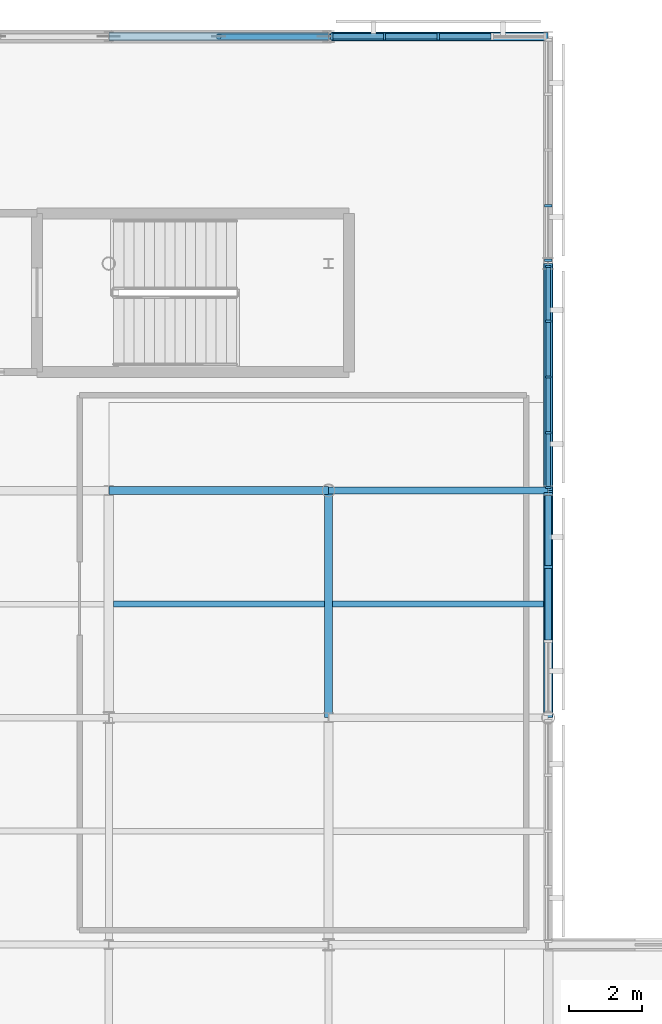
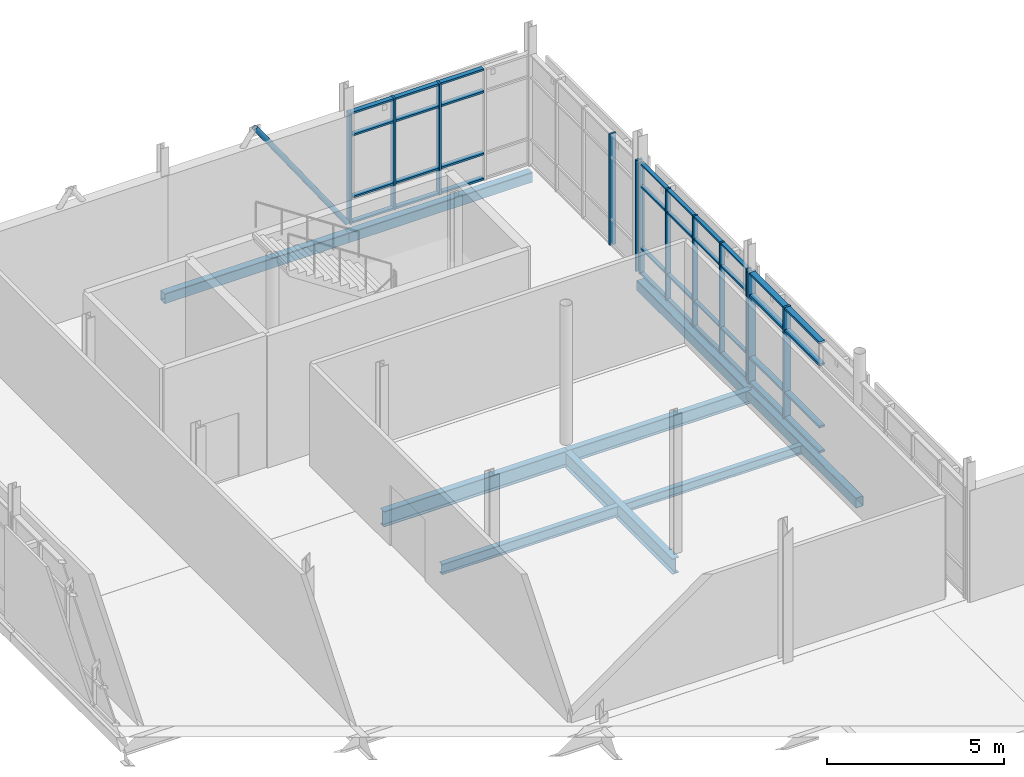
# One storey, part 47 of 84: 49 members, 9 beams, 4 elements without a shape of their own.
"""IFC4 building model written with IfcOpenShell, lengths in metres."""

from ifc_helpers import new_model, si_unit, direction, frame, origin, origin_2d, place, context, subcontext, project, spatial, rectangle, hollow_rectangle, hollow_circle, i_section, extrude, material, layer, layer_set, material_profile, profile_set, type_object, element, aggregate, save


model = new_model("IFC4")

# Units and contexts
model_context = context("Model", 3, precision=1e-05, world=origin(), true_north=direction((0.0, 1.0)))
body_context = subcontext(model_context, "Body", "Model", "MODEL_VIEW")
ifc_project = project(units=[si_unit("LENGTHUNIT", "METRE"), si_unit("AREAUNIT", "SQUARE_METRE"), si_unit("VOLUMEUNIT", "CUBIC_METRE"), si_unit("PLANEANGLEUNIT", "RADIAN"), si_unit("MASSUNIT", "GRAM", prefix="KILO")], contexts=[model_context])

# Site, building, storey
site_placement = place(None, origin())
site = spatial("IfcSite", under=ifc_project, at=site_placement, CompositionType="ELEMENT")
building_placement = place(site_placement, origin())
building = spatial("IfcBuilding", under=site, at=building_placement, Name="Mirzam Square Science Centre", CompositionType="ELEMENT")
storey_placement = place(building_placement, frame((0.0, 0.0, 10.800048828125)))
storey = spatial("IfcBuildingStorey", under=building, at=storey_placement, Name="L02", CompositionType="ELEMENT", Elevation=10.800048828125)

# Beams
ifc_material_1 = material(Name="Steel S355", Category="steel")
ifc_material_profile_1 = material_profile(ifc_material_1, i_section(OverallWidth=0.19140625, OverallDepth=0.4599609375, WebThickness=0.010009765625, FlangeThickness=0.01611328125, FilletRadius=0.01025390625, at=origin_2d()), Name="457x191x82UB")
ifc_profile_set_1 = profile_set([ifc_material_profile_1], Name="Steel S355")
beam_type_1 = type_object("IfcBeamType", Name="BM-UB457", PredefinedType="BEAM", material=ifc_profile_set_1)
beam_1_placement = place(storey_placement, frame((132.0, 99.199951171875, -0.47998046875), z_axis=(1.0, 0.0, 0.0), x_axis=(0.0, 1.0, 0.0)))
element("IfcBeam", 1, at=beam_1_placement, inside=storey, type_object=beam_type_1, Name="L02 girder X23-17", PredefinedType="BEAM", context=body_context, shape_type="SweptSolid", body=[
    extrude(i_section(OverallWidth=0.19140625, OverallDepth=0.4599609375, WebThickness=0.010009765625, FlangeThickness=0.01611328125, FilletRadius=0.01025390625, at=origin_2d()), origin(), (0.0, 0.0, 1.0), 6.0),
])
ifc_material_profile_2 = material_profile(ifc_material_1, i_section(OverallWidth=0.2099609375, OverallDepth=0.53662109375, WebThickness=0.0107421875, FlangeThickness=0.017333984375, FilletRadius=0.0126953125, at=origin_2d()), Name="533x210x101UB")
ifc_profile_set_2 = profile_set([ifc_material_profile_2], Name="Steel S355")
beam_type_2 = type_object("IfcBeamType", Name="BM-UB533", PredefinedType="BEAM", material=ifc_profile_set_2)
beam_2_placement = place(storey_placement, frame((126.0, 99.199951171875, -0.518310546875), z_axis=(1.0, 0.0, 0.0), x_axis=(0.0, 1.0, 0.0)))
element("IfcBeam", 2, at=beam_2_placement, inside=storey, type_object=beam_type_2, Name="L02 girder X22-17", PredefinedType="BEAM", context=body_context, shape_type="SweptSolid", body=[
    extrude(i_section(OverallWidth=0.2099609375, OverallDepth=0.53662109375, WebThickness=0.0107421875, FlangeThickness=0.017333984375, FilletRadius=0.0126953125, at=origin_2d()), origin(), (0.0, 0.0, 1.0), 6.0),
])
beam_3_placement = place(storey_placement, frame((132.0, 93.0, -0.518310546875), z_axis=(0.0, 1.0, 0.0), x_axis=(-1.0, 0.0, 0.0)))
element("IfcBeam", 3, at=beam_3_placement, inside=storey, type_object=beam_type_2, Name="L02 girder Y23-16", PredefinedType="BEAM", context=body_context, shape_type="SweptSolid", body=[
    extrude(i_section(OverallWidth=0.2099609375, OverallDepth=0.53662109375, WebThickness=0.0107421875, FlangeThickness=0.017333984375, FilletRadius=0.0126953125, at=origin_2d()), origin(), (0.0, 0.0, 1.0), 6.199951171875),
])

# Member
ifc_material_profile_3 = material_profile(ifc_material_1, hollow_circle(Radius=0.084228515625, WallThickness=0.008056640625, at=origin_2d()), Name="168.3x8.0CHS")
ifc_profile_set_3 = profile_set([ifc_material_profile_3], Name="Steel S355")
member_type_1 = type_object("IfcMemberType", Name="BR-CHS168", PredefinedType="BRACE", material=ifc_profile_set_3)
member_1_placement = place(storey_placement, frame((132.0, 111.60009765625, 0.050048828125), z_axis=(-0.56995502797, 0.0, 0.821675888712), x_axis=(0.0, -1.0, 0.0)))
element("IfcMember", 4, at=member_1_placement, inside=storey, type_object=member_type_1, Name="L02 chevron brace 9B", PredefinedType="BRACE", context=body_context, shape_type="SweptSolid", body=[
    extrude(hollow_circle(Radius=0.084228515625, WallThickness=0.008056640625, at=origin_2d()), origin(), (0.0, 0.0, 1.0), 5.263671875),
])

# Curtain wall, members
ifc_material_2 = material(Name="Anodised Aluminium and Low-E Solar Glass", Category="aluminium")
ifc_layer_1 = layer(ifc_material_2, 0.219970703125)
ifc_layer_set_1 = layer_set([ifc_layer_1], Name="CW-OBS-A")
curtain_wall_type_1 = type_object("IfcCurtainWallType", Name="CW-OBS-A", PredefinedType="USERDEFINED", material=ifc_layer_set_1)
curtain_wall_1_placement = place(storey_placement, origin())
curtain_wall_1 = element("IfcCurtainWall", 5, at=curtain_wall_1_placement, inside=storey, type_object=curtain_wall_type_1, Name="L02 unitised curtain wall 120", ObjectType="UNITISED CURTAIN WALL", PredefinedType="USERDEFINED")
ifc_material_3 = material(Name="Anodised Architectural Aluminium 6063-T6", Category="aluminium")
ifc_material_profile_4 = material_profile(ifc_material_3, rectangle(XDim=0.06005859375, YDim=0.159912109375, at=origin_2d()), Name="ALU-MULL-160x60x4")
ifc_profile_set_4 = profile_set([ifc_material_profile_4], Name="Anodised Architectural Aluminium 6063-T6")
member_type_2 = type_object("IfcMemberType", Name="CWM-160", PredefinedType="MULLION", material=ifc_profile_set_4)
member_2_placement = place(storey_placement, frame((138.0, 99.284912109375, 0.0), z_axis=(0.0, 0.0, 1.0), x_axis=(0.0, 1.0, 0.0)))
member_2 = element("IfcMember", 6, at=member_2_placement, type_object=member_type_2, Name="CW-07 mullion 1", PredefinedType="MULLION", context=body_context, shape_type="SweptSolid", body=[
    extrude(rectangle(XDim=0.06005859375, YDim=0.159912109375, at=origin_2d()), origin(), (0.0, 0.0, 1.0), 3.83984375),
])
member_3_placement = place(storey_placement, frame((138.0, 100.777587890625, 0.0), z_axis=(0.0, 0.0, 1.0), x_axis=(0.0, 1.0, 0.0)))
member_3 = element("IfcMember", 7, at=member_3_placement, type_object=member_type_2, Name="CW-07 mullion 2", PredefinedType="MULLION", context=body_context, shape_type="SweptSolid", body=[
    extrude(rectangle(XDim=0.06005859375, YDim=0.159912109375, at=origin_2d()), origin(), (0.0, 0.0, 1.0), 3.83984375),
])
member_4_placement = place(storey_placement, frame((138.0, 102.300048828125, 0.0), z_axis=(0.0, 0.0, 1.0), x_axis=(0.0, 1.0, 0.0)))
member_4 = element("IfcMember", 8, at=member_4_placement, type_object=member_type_2, Name="CW-07 mullion 3", PredefinedType="MULLION", context=body_context, shape_type="SweptSolid", body=[
    extrude(rectangle(XDim=0.06005859375, YDim=0.159912109375, at=origin_2d()), origin(), (0.0, 0.0, 1.0), 3.83984375),
])
member_5_placement = place(storey_placement, frame((138.0, 103.822509765625, 0.0), z_axis=(0.0, 0.0, 1.0), x_axis=(0.0, 1.0, 0.0)))
member_5 = element("IfcMember", 9, at=member_5_placement, type_object=member_type_2, Name="CW-07 mullion 4", PredefinedType="MULLION", context=body_context, shape_type="SweptSolid", body=[
    extrude(rectangle(XDim=0.06005859375, YDim=0.159912109375, at=origin_2d()), origin(), (0.0, 0.0, 1.0), 3.83984375),
])
member_6_placement = place(storey_placement, frame((138.0, 105.31494140625, 0.0), z_axis=(0.0, 0.0, 1.0), x_axis=(0.0, 1.0, 0.0)))
member_6 = element("IfcMember", 10, at=member_6_placement, type_object=member_type_2, Name="CW-07 mullion 5", PredefinedType="MULLION", context=body_context, shape_type="SweptSolid", body=[
    extrude(rectangle(XDim=0.06005859375, YDim=0.159912109375, at=origin_2d()), origin(), (0.0, 0.0, 1.0), 3.83984375),
])

curtain_wall_2_placement = place(storey_placement, origin())
curtain_wall_2 = element("IfcCurtainWall", 11, at=curtain_wall_2_placement, inside=storey, type_object=curtain_wall_type_1, Name="L02 unitised curtain wall 114", ObjectType="UNITISED CURTAIN WALL", PredefinedType="USERDEFINED")
ifc_material_profile_5 = material_profile(ifc_material_3, rectangle(XDim=0.06494140625, YDim=0.199951171875, at=origin_2d()), Name="ALU-MULL-200x65x5")
ifc_profile_set_5 = profile_set([ifc_material_profile_5], Name="Anodised Architectural Aluminium 6063-T6")
member_type_3 = type_object("IfcMemberType", Name="CWM-200", PredefinedType="MULLION", material=ifc_profile_set_5)
member_7_placement = place(storey_placement, frame((135.0, 111.60009765625, 0.0), z_axis=(0.0, 0.0, 1.0), x_axis=(-1.0, 0.0, 0.0)))
member_7 = element("IfcMember", 12, at=member_7_placement, type_object=member_type_3, Name="CW-07 mullion 3", PredefinedType="MULLION", context=body_context, shape_type="SweptSolid", body=[
    extrude(rectangle(XDim=0.06494140625, YDim=0.199951171875, at=origin_2d()), origin(), (0.0, 0.0, 1.0), 3.83984375),
])
member_8_placement = place(storey_placement, frame((133.527587890625, 111.60009765625, 0.0), z_axis=(0.0, 0.0, 1.0), x_axis=(-1.0, 0.0, 0.0)))
member_8 = element("IfcMember", 13, at=member_8_placement, type_object=member_type_3, Name="CW-07 mullion 4", PredefinedType="MULLION", context=body_context, shape_type="SweptSolid", body=[
    extrude(rectangle(XDim=0.06494140625, YDim=0.199951171875, at=origin_2d()), origin(), (0.0, 0.0, 1.0), 3.83984375),
])
member_9_placement = place(storey_placement, frame((132.08740234375, 111.60009765625, 0.0), z_axis=(0.0, 0.0, 1.0), x_axis=(-1.0, 0.0, 0.0)))
member_9 = element("IfcMember", 14, at=member_9_placement, type_object=member_type_3, Name="CW-07 mullion 5", PredefinedType="MULLION", context=body_context, shape_type="SweptSolid", body=[
    extrude(rectangle(XDim=0.06494140625, YDim=0.199951171875, at=origin_2d()), origin(), (0.0, 0.0, 1.0), 3.83984375),
])

ifc_layer_2 = layer(ifc_material_2, 0.179931640625)
ifc_layer_set_2 = layer_set([ifc_layer_2], Name="CW-LINK-A")
curtain_wall_type_2 = type_object("IfcCurtainWallType", Name="CW-LINK-A", PredefinedType="USERDEFINED", material=ifc_layer_set_2)
curtain_wall_3_placement = place(storey_placement, origin())
curtain_wall_3 = element("IfcCurtainWall", 15, at=curtain_wall_3_placement, inside=storey, type_object=curtain_wall_type_2, Name="L02 unitised curtain wall 122", ObjectType="UNITISED CURTAIN WALL", PredefinedType="USERDEFINED")
member_10_placement = place(storey_placement, frame((138.0, 105.487548828125, 0.0), z_axis=(0.0, 0.0, 1.0), x_axis=(0.0, 1.0, 0.0)))
member_10 = element("IfcMember", 16, at=member_10_placement, type_object=member_type_3, Name="CW-08 mullion 1", PredefinedType="MULLION", context=body_context, shape_type="SweptSolid", body=[
    extrude(rectangle(XDim=0.06494140625, YDim=0.199951171875, at=origin_2d()), origin(), (0.0, 0.0, 1.0), 3.83984375),
])
member_11_placement = place(storey_placement, frame((138.0, 106.9775390625, 0.0), z_axis=(0.0, 0.0, 1.0), x_axis=(0.0, 1.0, 0.0)))
member_11 = element("IfcMember", 17, at=member_11_placement, type_object=member_type_3, Name="CW-08 mullion 2", PredefinedType="MULLION", context=body_context, shape_type="SweptSolid", body=[
    extrude(rectangle(XDim=0.06494140625, YDim=0.199951171875, at=origin_2d()), origin(), (0.0, 0.0, 1.0), 3.83984375),
])
aggregate(curtain_wall_3, [member_10, member_11])

ifc_layer_3 = layer(ifc_material_2, 0.239990234375)
ifc_layer_set_3 = layer_set([ifc_layer_3], Name="CW-EAST-B")
curtain_wall_type_3 = type_object("IfcCurtainWallType", Name="CW-EAST-B", PredefinedType="USERDEFINED", material=ifc_layer_set_3)
curtain_wall_4_placement = place(storey_placement, origin())
curtain_wall_4 = element("IfcCurtainWall", 18, at=curtain_wall_4_placement, inside=storey, type_object=curtain_wall_type_3, Name="L02 unitised curtain wall 118", ObjectType="UNITISED CURTAIN WALL", PredefinedType="USERDEFINED")
ifc_material_profile_6 = material_profile(ifc_material_3, rectangle(XDim=0.074951171875, YDim=0.239990234375, at=origin_2d()), Name="ALU-MULL-240x75x5")
ifc_profile_set_6 = profile_set([ifc_material_profile_6], Name="Anodised Architectural Aluminium 6063-T6")
member_type_4 = type_object("IfcMemberType", Name="CWM-240", PredefinedType="MULLION", material=ifc_profile_set_6)
member_12_placement = place(storey_placement, frame((138.0, 97.114990234375, 0.0), z_axis=(0.0, 0.0, 1.0), x_axis=(0.0, 1.0, 0.0)))
member_12 = element("IfcMember", 19, at=member_12_placement, type_object=member_type_4, Name="CW-06 mullion 3", PredefinedType="MULLION", context=body_context, shape_type="SweptSolid", body=[
    extrude(rectangle(XDim=0.074951171875, YDim=0.239990234375, at=origin_2d()), origin(), (0.0, 0.0, 1.0), 3.83984375),
])
member_13_placement = place(storey_placement, frame((138.0, 99.107421875, 0.0), z_axis=(0.0, 0.0, 1.0), x_axis=(0.0, 1.0, 0.0)))
member_13 = element("IfcMember", 20, at=member_13_placement, type_object=member_type_4, Name="CW-06 mullion 4", PredefinedType="MULLION", context=body_context, shape_type="SweptSolid", body=[
    extrude(rectangle(XDim=0.074951171875, YDim=0.239990234375, at=origin_2d()), origin(), (0.0, 0.0, 1.0), 3.83984375),
])

# Member
ifc_material_profile_7 = material_profile(ifc_material_3, rectangle(XDim=0.1201171875, YDim=0.06005859375, at=origin_2d()), Name="ALU-TRAN-120x60x4")
ifc_profile_set_7 = profile_set([ifc_material_profile_7], Name="Anodised Architectural Aluminium 6063-T6")
member_type_5 = type_object("IfcMemberType", Name="CWT-120", PredefinedType="USERDEFINED", material=ifc_profile_set_7)
member_14_placement = place(storey_placement, frame((138.0, 99.31494140625, 0.030029296875), z_axis=(0.0, 1.0, 0.0), x_axis=(-1.0, 0.0, 0.0)))
member_14 = element("IfcMember", 21, at=member_14_placement, type_object=member_type_5, Name="CW-07 transom 1.1", ObjectType="TRANSOM", PredefinedType="USERDEFINED", context=body_context, shape_type="SweptSolid", body=[
    extrude(rectangle(XDim=0.1201171875, YDim=0.06005859375, at=origin_2d()), origin(), (0.0, 0.0, 1.0), 1.4326171875),
])

member_15_placement = place(storey_placement, frame((138.0, 99.31494140625, 0.89990234375), z_axis=(0.0, 1.0, 0.0), x_axis=(-1.0, 0.0, 0.0)))
member_15 = element("IfcMember", 22, at=member_15_placement, type_object=member_type_5, Name="CW-07 transom 1.2", ObjectType="TRANSOM", PredefinedType="USERDEFINED", context=body_context, shape_type="SweptSolid", body=[
    extrude(rectangle(XDim=0.1201171875, YDim=0.06005859375, at=origin_2d()), origin(), (0.0, 0.0, 1.0), 1.4326171875),
])

member_16_placement = place(storey_placement, frame((138.0, 99.31494140625, 3.0400390625), z_axis=(0.0, 1.0, 0.0), x_axis=(-1.0, 0.0, 0.0)))
member_16 = element("IfcMember", 23, at=member_16_placement, type_object=member_type_5, Name="CW-07 transom 1.3", ObjectType="TRANSOM", PredefinedType="USERDEFINED", context=body_context, shape_type="SweptSolid", body=[
    extrude(rectangle(XDim=0.1201171875, YDim=0.06005859375, at=origin_2d()), origin(), (0.0, 0.0, 1.0), 1.4326171875),
])

member_17_placement = place(storey_placement, frame((138.0, 99.31494140625, 3.81005859375), z_axis=(0.0, 1.0, 0.0), x_axis=(-1.0, 0.0, 0.0)))
member_17 = element("IfcMember", 24, at=member_17_placement, type_object=member_type_5, Name="CW-07 transom 1.4", ObjectType="TRANSOM", PredefinedType="USERDEFINED", context=body_context, shape_type="SweptSolid", body=[
    extrude(rectangle(XDim=0.1201171875, YDim=0.06005859375, at=origin_2d()), origin(), (0.0, 0.0, 1.0), 1.4326171875),
])

member_18_placement = place(storey_placement, frame((138.0, 100.8076171875, 0.030029296875), z_axis=(0.0, 1.0, 0.0), x_axis=(-1.0, 0.0, 0.0)))
member_18 = element("IfcMember", 25, at=member_18_placement, type_object=member_type_5, Name="CW-07 transom 2.1", ObjectType="TRANSOM", PredefinedType="USERDEFINED", context=body_context, shape_type="SweptSolid", body=[
    extrude(rectangle(XDim=0.1201171875, YDim=0.06005859375, at=origin_2d()), origin(), (0.0, 0.0, 1.0), 1.46240234375),
])

member_19_placement = place(storey_placement, frame((138.0, 100.8076171875, 0.89990234375), z_axis=(0.0, 1.0, 0.0), x_axis=(-1.0, 0.0, 0.0)))
member_19 = element("IfcMember", 26, at=member_19_placement, type_object=member_type_5, Name="CW-07 transom 2.2", ObjectType="TRANSOM", PredefinedType="USERDEFINED", context=body_context, shape_type="SweptSolid", body=[
    extrude(rectangle(XDim=0.1201171875, YDim=0.06005859375, at=origin_2d()), origin(), (0.0, 0.0, 1.0), 1.46240234375),
])

member_20_placement = place(storey_placement, frame((138.0, 100.8076171875, 3.0400390625), z_axis=(0.0, 1.0, 0.0), x_axis=(-1.0, 0.0, 0.0)))
member_20 = element("IfcMember", 27, at=member_20_placement, type_object=member_type_5, Name="CW-07 transom 2.3", ObjectType="TRANSOM", PredefinedType="USERDEFINED", context=body_context, shape_type="SweptSolid", body=[
    extrude(rectangle(XDim=0.1201171875, YDim=0.06005859375, at=origin_2d()), origin(), (0.0, 0.0, 1.0), 1.46240234375),
])

member_21_placement = place(storey_placement, frame((138.0, 100.8076171875, 3.81005859375), z_axis=(0.0, 1.0, 0.0), x_axis=(-1.0, 0.0, 0.0)))
member_21 = element("IfcMember", 28, at=member_21_placement, type_object=member_type_5, Name="CW-07 transom 2.4", ObjectType="TRANSOM", PredefinedType="USERDEFINED", context=body_context, shape_type="SweptSolid", body=[
    extrude(rectangle(XDim=0.1201171875, YDim=0.06005859375, at=origin_2d()), origin(), (0.0, 0.0, 1.0), 1.46240234375),
])

member_22_placement = place(storey_placement, frame((138.0, 102.330078125, 0.030029296875), z_axis=(0.0, 1.0, 0.0), x_axis=(-1.0, 0.0, 0.0)))
member_22 = element("IfcMember", 29, at=member_22_placement, type_object=member_type_5, Name="CW-07 transom 3.1", ObjectType="TRANSOM", PredefinedType="USERDEFINED", context=body_context, shape_type="SweptSolid", body=[
    extrude(rectangle(XDim=0.1201171875, YDim=0.06005859375, at=origin_2d()), origin(), (0.0, 0.0, 1.0), 1.46240234375),
])

member_23_placement = place(storey_placement, frame((138.0, 102.330078125, 0.89990234375), z_axis=(0.0, 1.0, 0.0), x_axis=(-1.0, 0.0, 0.0)))
member_23 = element("IfcMember", 30, at=member_23_placement, type_object=member_type_5, Name="CW-07 transom 3.2", ObjectType="TRANSOM", PredefinedType="USERDEFINED", context=body_context, shape_type="SweptSolid", body=[
    extrude(rectangle(XDim=0.1201171875, YDim=0.06005859375, at=origin_2d()), origin(), (0.0, 0.0, 1.0), 1.46240234375),
])

member_24_placement = place(storey_placement, frame((138.0, 102.330078125, 3.0400390625), z_axis=(0.0, 1.0, 0.0), x_axis=(-1.0, 0.0, 0.0)))
member_24 = element("IfcMember", 31, at=member_24_placement, type_object=member_type_5, Name="CW-07 transom 3.3", ObjectType="TRANSOM", PredefinedType="USERDEFINED", context=body_context, shape_type="SweptSolid", body=[
    extrude(rectangle(XDim=0.1201171875, YDim=0.06005859375, at=origin_2d()), origin(), (0.0, 0.0, 1.0), 1.46240234375),
])

member_25_placement = place(storey_placement, frame((138.0, 102.330078125, 3.81005859375), z_axis=(0.0, 1.0, 0.0), x_axis=(-1.0, 0.0, 0.0)))
member_25 = element("IfcMember", 32, at=member_25_placement, type_object=member_type_5, Name="CW-07 transom 3.4", ObjectType="TRANSOM", PredefinedType="USERDEFINED", context=body_context, shape_type="SweptSolid", body=[
    extrude(rectangle(XDim=0.1201171875, YDim=0.06005859375, at=origin_2d()), origin(), (0.0, 0.0, 1.0), 1.46240234375),
])

member_26_placement = place(storey_placement, frame((138.0, 103.8525390625, 0.030029296875), z_axis=(0.0, 1.0, 0.0), x_axis=(-1.0, 0.0, 0.0)))
member_26 = element("IfcMember", 33, at=member_26_placement, type_object=member_type_5, Name="CW-07 transom 4.1", ObjectType="TRANSOM", PredefinedType="USERDEFINED", context=body_context, shape_type="SweptSolid", body=[
    extrude(rectangle(XDim=0.1201171875, YDim=0.06005859375, at=origin_2d()), origin(), (0.0, 0.0, 1.0), 1.432373046875),
])

member_27_placement = place(storey_placement, frame((138.0, 103.8525390625, 0.89990234375), z_axis=(0.0, 1.0, 0.0), x_axis=(-1.0, 0.0, 0.0)))
member_27 = element("IfcMember", 34, at=member_27_placement, type_object=member_type_5, Name="CW-07 transom 4.2", ObjectType="TRANSOM", PredefinedType="USERDEFINED", context=body_context, shape_type="SweptSolid", body=[
    extrude(rectangle(XDim=0.1201171875, YDim=0.06005859375, at=origin_2d()), origin(), (0.0, 0.0, 1.0), 1.432373046875),
])

member_28_placement = place(storey_placement, frame((138.0, 103.8525390625, 3.0400390625), z_axis=(0.0, 1.0, 0.0), x_axis=(-1.0, 0.0, 0.0)))
member_28 = element("IfcMember", 35, at=member_28_placement, type_object=member_type_5, Name="CW-07 transom 4.3", ObjectType="TRANSOM", PredefinedType="USERDEFINED", context=body_context, shape_type="SweptSolid", body=[
    extrude(rectangle(XDim=0.1201171875, YDim=0.06005859375, at=origin_2d()), origin(), (0.0, 0.0, 1.0), 1.432373046875),
])

member_29_placement = place(storey_placement, frame((138.0, 103.8525390625, 3.81005859375), z_axis=(0.0, 1.0, 0.0), x_axis=(-1.0, 0.0, 0.0)))
member_29 = element("IfcMember", 36, at=member_29_placement, type_object=member_type_5, Name="CW-07 transom 4.4", ObjectType="TRANSOM", PredefinedType="USERDEFINED", context=body_context, shape_type="SweptSolid", body=[
    extrude(rectangle(XDim=0.1201171875, YDim=0.06005859375, at=origin_2d()), origin(), (0.0, 0.0, 1.0), 1.432373046875),
])

aggregate(curtain_wall_1, [member_2, member_3, member_4, member_5, member_6, member_14, member_15, member_16, member_17, member_18, member_19, member_20, member_21, member_22, member_23, member_24, member_25, member_26, member_27, member_28, member_29])

ifc_material_profile_8 = material_profile(ifc_material_3, rectangle(XDim=0.14990234375, YDim=0.06494140625, at=origin_2d()), Name="ALU-TRAN-150x65x4")
ifc_profile_set_8 = profile_set([ifc_material_profile_8], Name="Anodised Architectural Aluminium 6063-T6")
member_type_6 = type_object("IfcMemberType", Name="CWT-150", PredefinedType="USERDEFINED", material=ifc_profile_set_8)
member_30_placement = place(storey_placement, frame((136.43994140625, 111.60009765625, 0.032470703125), z_axis=(-1.0, 0.0, 0.0), x_axis=(0.0, -1.0, 0.0)))
member_30 = element("IfcMember", 37, at=member_30_placement, type_object=member_type_6, Name="CW-07 transom 2.1", ObjectType="TRANSOM", PredefinedType="USERDEFINED", context=body_context, shape_type="SweptSolid", body=[
    extrude(rectangle(XDim=0.14990234375, YDim=0.06494140625, at=origin_2d()), origin(), (0.0, 0.0, 1.0), 1.407470703125),
])

member_31_placement = place(storey_placement, frame((136.43994140625, 111.60009765625, 0.89990234375), z_axis=(-1.0, 0.0, 0.0), x_axis=(0.0, -1.0, 0.0)))
member_31 = element("IfcMember", 38, at=member_31_placement, type_object=member_type_6, Name="CW-07 transom 2.2", ObjectType="TRANSOM", PredefinedType="USERDEFINED", context=body_context, shape_type="SweptSolid", body=[
    extrude(rectangle(XDim=0.14990234375, YDim=0.06494140625, at=origin_2d()), origin(), (0.0, 0.0, 1.0), 1.407470703125),
])

member_32_placement = place(storey_placement, frame((136.43994140625, 111.60009765625, 3.0400390625), z_axis=(-1.0, 0.0, 0.0), x_axis=(0.0, -1.0, 0.0)))
member_32 = element("IfcMember", 39, at=member_32_placement, type_object=member_type_6, Name="CW-07 transom 2.3", ObjectType="TRANSOM", PredefinedType="USERDEFINED", context=body_context, shape_type="SweptSolid", body=[
    extrude(rectangle(XDim=0.14990234375, YDim=0.06494140625, at=origin_2d()), origin(), (0.0, 0.0, 1.0), 1.407470703125),
])

member_33_placement = place(storey_placement, frame((136.43994140625, 111.60009765625, 3.807373046875), z_axis=(-1.0, 0.0, 0.0), x_axis=(0.0, -1.0, 0.0)))
member_33 = element("IfcMember", 40, at=member_33_placement, type_object=member_type_6, Name="CW-07 transom 2.4", ObjectType="TRANSOM", PredefinedType="USERDEFINED", context=body_context, shape_type="SweptSolid", body=[
    extrude(rectangle(XDim=0.14990234375, YDim=0.06494140625, at=origin_2d()), origin(), (0.0, 0.0, 1.0), 1.407470703125),
])

member_34_placement = place(storey_placement, frame((134.967529296875, 111.60009765625, 0.032470703125), z_axis=(-1.0, 0.0, 0.0), x_axis=(0.0, -1.0, 0.0)))
member_34 = element("IfcMember", 41, at=member_34_placement, type_object=member_type_6, Name="CW-07 transom 3.1", ObjectType="TRANSOM", PredefinedType="USERDEFINED", context=body_context, shape_type="SweptSolid", body=[
    extrude(rectangle(XDim=0.14990234375, YDim=0.06494140625, at=origin_2d()), origin(), (0.0, 0.0, 1.0), 1.407470703125),
])

member_35_placement = place(storey_placement, frame((134.967529296875, 111.60009765625, 0.89990234375), z_axis=(-1.0, 0.0, 0.0), x_axis=(0.0, -1.0, 0.0)))
member_35 = element("IfcMember", 42, at=member_35_placement, type_object=member_type_6, Name="CW-07 transom 3.2", ObjectType="TRANSOM", PredefinedType="USERDEFINED", context=body_context, shape_type="SweptSolid", body=[
    extrude(rectangle(XDim=0.14990234375, YDim=0.06494140625, at=origin_2d()), origin(), (0.0, 0.0, 1.0), 1.407470703125),
])

member_36_placement = place(storey_placement, frame((134.967529296875, 111.60009765625, 3.0400390625), z_axis=(-1.0, 0.0, 0.0), x_axis=(0.0, -1.0, 0.0)))
member_36 = element("IfcMember", 43, at=member_36_placement, type_object=member_type_6, Name="CW-07 transom 3.3", ObjectType="TRANSOM", PredefinedType="USERDEFINED", context=body_context, shape_type="SweptSolid", body=[
    extrude(rectangle(XDim=0.14990234375, YDim=0.06494140625, at=origin_2d()), origin(), (0.0, 0.0, 1.0), 1.407470703125),
])

member_37_placement = place(storey_placement, frame((134.967529296875, 111.60009765625, 3.807373046875), z_axis=(-1.0, 0.0, 0.0), x_axis=(0.0, -1.0, 0.0)))
member_37 = element("IfcMember", 44, at=member_37_placement, type_object=member_type_6, Name="CW-07 transom 3.4", ObjectType="TRANSOM", PredefinedType="USERDEFINED", context=body_context, shape_type="SweptSolid", body=[
    extrude(rectangle(XDim=0.14990234375, YDim=0.06494140625, at=origin_2d()), origin(), (0.0, 0.0, 1.0), 1.407470703125),
])

member_38_placement = place(storey_placement, frame((133.4951171875, 111.60009765625, 0.032470703125), z_axis=(-1.0, 0.0, 0.0), x_axis=(0.0, -1.0, 0.0)))
member_38 = element("IfcMember", 45, at=member_38_placement, type_object=member_type_6, Name="CW-07 transom 4.1", ObjectType="TRANSOM", PredefinedType="USERDEFINED", context=body_context, shape_type="SweptSolid", body=[
    extrude(rectangle(XDim=0.14990234375, YDim=0.06494140625, at=origin_2d()), origin(), (0.0, 0.0, 1.0), 1.375),
])

member_39_placement = place(storey_placement, frame((133.4951171875, 111.60009765625, 0.89990234375), z_axis=(-1.0, 0.0, 0.0), x_axis=(0.0, -1.0, 0.0)))
member_39 = element("IfcMember", 46, at=member_39_placement, type_object=member_type_6, Name="CW-07 transom 4.2", ObjectType="TRANSOM", PredefinedType="USERDEFINED", context=body_context, shape_type="SweptSolid", body=[
    extrude(rectangle(XDim=0.14990234375, YDim=0.06494140625, at=origin_2d()), origin(), (0.0, 0.0, 1.0), 1.375),
])

member_40_placement = place(storey_placement, frame((133.4951171875, 111.60009765625, 3.0400390625), z_axis=(-1.0, 0.0, 0.0), x_axis=(0.0, -1.0, 0.0)))
member_40 = element("IfcMember", 47, at=member_40_placement, type_object=member_type_6, Name="CW-07 transom 4.3", ObjectType="TRANSOM", PredefinedType="USERDEFINED", context=body_context, shape_type="SweptSolid", body=[
    extrude(rectangle(XDim=0.14990234375, YDim=0.06494140625, at=origin_2d()), origin(), (0.0, 0.0, 1.0), 1.375),
])

member_41_placement = place(storey_placement, frame((133.4951171875, 111.60009765625, 3.807373046875), z_axis=(-1.0, 0.0, 0.0), x_axis=(0.0, -1.0, 0.0)))
member_41 = element("IfcMember", 48, at=member_41_placement, type_object=member_type_6, Name="CW-07 transom 4.4", ObjectType="TRANSOM", PredefinedType="USERDEFINED", context=body_context, shape_type="SweptSolid", body=[
    extrude(rectangle(XDim=0.14990234375, YDim=0.06494140625, at=origin_2d()), origin(), (0.0, 0.0, 1.0), 1.375),
])

aggregate(curtain_wall_2, [member_7, member_8, member_9, member_30, member_31, member_32, member_33, member_34, member_35, member_36, member_37, member_38, member_39, member_40, member_41])

ifc_material_profile_9 = material_profile(ifc_material_3, rectangle(XDim=0.179931640625, YDim=0.074951171875, at=origin_2d()), Name="ALU-TRAN-180x75x5")
ifc_profile_set_9 = profile_set([ifc_material_profile_9], Name="Anodised Architectural Aluminium 6063-T6")
member_type_7 = type_object("IfcMemberType", Name="CWT-180", PredefinedType="USERDEFINED", material=ifc_profile_set_9)
member_42_placement = place(storey_placement, frame((138.0, 95.12255859375, 0.037353515625), z_axis=(0.0, 1.0, 0.0), x_axis=(-1.0, 0.0, 0.0)))
member_42 = element("IfcMember", 49, at=member_42_placement, type_object=member_type_7, Name="CW-06 transom 2.1", ObjectType="TRANSOM", PredefinedType="USERDEFINED", context=body_context, shape_type="SweptSolid", body=[
    extrude(rectangle(XDim=0.179931640625, YDim=0.074951171875, at=origin_2d()), origin(), (0.0, 0.0, 1.0), 1.954833984375),
])

member_43_placement = place(storey_placement, frame((138.0, 95.12255859375, 0.89990234375), z_axis=(0.0, 1.0, 0.0), x_axis=(-1.0, 0.0, 0.0)))
member_43 = element("IfcMember", 50, at=member_43_placement, type_object=member_type_7, Name="CW-06 transom 2.2", ObjectType="TRANSOM", PredefinedType="USERDEFINED", context=body_context, shape_type="SweptSolid", body=[
    extrude(rectangle(XDim=0.179931640625, YDim=0.074951171875, at=origin_2d()), origin(), (0.0, 0.0, 1.0), 1.954833984375),
])

member_44_placement = place(storey_placement, frame((138.0, 95.12255859375, 3.0400390625), z_axis=(0.0, 1.0, 0.0), x_axis=(-1.0, 0.0, 0.0)))
member_44 = element("IfcMember", 51, at=member_44_placement, type_object=member_type_7, Name="CW-06 transom 2.3", ObjectType="TRANSOM", PredefinedType="USERDEFINED", context=body_context, shape_type="SweptSolid", body=[
    extrude(rectangle(XDim=0.179931640625, YDim=0.074951171875, at=origin_2d()), origin(), (0.0, 0.0, 1.0), 1.954833984375),
])

member_45_placement = place(storey_placement, frame((138.0, 95.12255859375, 3.802490234375), z_axis=(0.0, 1.0, 0.0), x_axis=(-1.0, 0.0, 0.0)))
member_45 = element("IfcMember", 52, at=member_45_placement, type_object=member_type_7, Name="CW-06 transom 2.4", ObjectType="TRANSOM", PredefinedType="USERDEFINED", context=body_context, shape_type="SweptSolid", body=[
    extrude(rectangle(XDim=0.179931640625, YDim=0.074951171875, at=origin_2d()), origin(), (0.0, 0.0, 1.0), 1.954833984375),
])

member_46_placement = place(storey_placement, frame((138.0, 97.152587890625, 0.037353515625), z_axis=(0.0, 1.0, 0.0), x_axis=(-1.0, 0.0, 0.0)))
member_46 = element("IfcMember", 53, at=member_46_placement, type_object=member_type_7, Name="CW-06 transom 3.1", ObjectType="TRANSOM", PredefinedType="USERDEFINED", context=body_context, shape_type="SweptSolid", body=[
    extrude(rectangle(XDim=0.179931640625, YDim=0.074951171875, at=origin_2d()), origin(), (0.0, 0.0, 1.0), 1.91748046875),
])

member_47_placement = place(storey_placement, frame((138.0, 97.152587890625, 0.89990234375), z_axis=(0.0, 1.0, 0.0), x_axis=(-1.0, 0.0, 0.0)))
member_47 = element("IfcMember", 54, at=member_47_placement, type_object=member_type_7, Name="CW-06 transom 3.2", ObjectType="TRANSOM", PredefinedType="USERDEFINED", context=body_context, shape_type="SweptSolid", body=[
    extrude(rectangle(XDim=0.179931640625, YDim=0.074951171875, at=origin_2d()), origin(), (0.0, 0.0, 1.0), 1.91748046875),
])

member_48_placement = place(storey_placement, frame((138.0, 97.152587890625, 3.0400390625), z_axis=(0.0, 1.0, 0.0), x_axis=(-1.0, 0.0, 0.0)))
member_48 = element("IfcMember", 55, at=member_48_placement, type_object=member_type_7, Name="CW-06 transom 3.3", ObjectType="TRANSOM", PredefinedType="USERDEFINED", context=body_context, shape_type="SweptSolid", body=[
    extrude(rectangle(XDim=0.179931640625, YDim=0.074951171875, at=origin_2d()), origin(), (0.0, 0.0, 1.0), 1.91748046875),
])

member_49_placement = place(storey_placement, frame((138.0, 97.152587890625, 3.802490234375), z_axis=(0.0, 1.0, 0.0), x_axis=(-1.0, 0.0, 0.0)))
member_49 = element("IfcMember", 56, at=member_49_placement, type_object=member_type_7, Name="CW-06 transom 3.4", ObjectType="TRANSOM", PredefinedType="USERDEFINED", context=body_context, shape_type="SweptSolid", body=[
    extrude(rectangle(XDim=0.179931640625, YDim=0.074951171875, at=origin_2d()), origin(), (0.0, 0.0, 1.0), 1.91748046875),
])

aggregate(curtain_wall_4, [member_12, member_13, member_42, member_43, member_44, member_45, member_46, member_47, member_48, member_49])

# Beams
ifc_material_profile_10 = material_profile(ifc_material_1, i_section(OverallWidth=0.165771484375, OverallDepth=0.306640625, WebThickness=0.006591796875, FlangeThickness=0.01171875, FilletRadius=0.0087890625, at=origin_2d()), Name="305x165x46UB")
ifc_profile_set_10 = profile_set([ifc_material_profile_10], Name="Steel S355")
beam_type_3 = type_object("IfcBeamType", Name="JS-UB305", PredefinedType="JOIST", material=ifc_profile_set_10)
beam_4_placement = place(storey_placement, frame((132.10498046875, 96.10009765625, -0.4033203125), z_axis=(1.0, 0.0, 0.0), x_axis=(0.0, 1.0, 0.0)))
element("IfcBeam", 57, at=beam_4_placement, inside=storey, type_object=beam_type_3, Name="L02 composite joist 23-16", PredefinedType="JOIST", context=body_context, shape_type="SweptSolid", body=[
    extrude(i_section(OverallWidth=0.165771484375, OverallDepth=0.306640625, WebThickness=0.006591796875, FlangeThickness=0.01171875, FilletRadius=0.0087890625, at=origin_2d()), origin(), (0.0, 0.0, 1.0), 5.77001953125),
])
ifc_material_profile_11 = material_profile(ifc_material_1, i_section(OverallWidth=0.172119140625, OverallDepth=0.35791015625, WebThickness=0.008056640625, FlangeThickness=0.012939453125, FilletRadius=0.01025390625, at=origin_2d()), Name="356x171x57UB")
ifc_profile_set_11 = profile_set([ifc_material_profile_11], Name="Steel S355")
beam_type_4 = type_object("IfcBeamType", Name="JS-UB356", PredefinedType="JOIST", material=ifc_profile_set_11)
beam_5_placement = place(storey_placement, frame((126.127197265625, 96.10009765625, -0.428955078125), z_axis=(1.0, 0.0, 0.0), x_axis=(0.0, 1.0, 0.0)))
element("IfcBeam", 58, at=beam_5_placement, inside=storey, type_object=beam_type_4, Name="L02 composite joist 22-16", PredefinedType="JOIST", context=body_context, shape_type="SweptSolid", body=[
    extrude(i_section(OverallWidth=0.172119140625, OverallDepth=0.35791015625, WebThickness=0.008056640625, FlangeThickness=0.012939453125, FilletRadius=0.01025390625, at=origin_2d()), origin(), (0.0, 0.0, 1.0), 5.767822265625),
])
ifc_material_profile_12 = material_profile(ifc_material_1, hollow_rectangle(XDim=0.25, YDim=0.35009765625, WallThickness=0.012451171875, InnerFilletRadius=0.012451171875, OuterFilletRadius=0.02490234375, at=origin_2d()), Name="350x250x12.5RHS")
ifc_profile_set_12 = profile_set([ifc_material_profile_12], Name="Steel S355")
beam_type_5 = type_object("IfcBeamType", Name="SP-RHS350", PredefinedType="SPANDREL", material=ifc_profile_set_12)
for number, where, z_axis, x_axis, name in (
    (59, (126.0, 111.60009765625, -0.425048828125), (1.0, 0.0, 0.0), (0.0, 1.0, 0.0), "L02 girder X22-19"),
    (60, (132.0, 111.60009765625, -0.425048828125), (1.0, 0.0, 0.0), (0.0, 1.0, 0.0), "L02 girder X23-19"),
):
    element("IfcBeam", number, at=place(storey_placement, frame(where, z_axis=z_axis, x_axis=x_axis)), inside=storey, type_object=beam_type_5, Name=name, PredefinedType="SPANDREL", context=body_context, shape_type="SweptSolid", body=[
        extrude(hollow_rectangle(XDim=0.25, YDim=0.35009765625, WallThickness=0.012451171875, InnerFilletRadius=0.012451171875, OuterFilletRadius=0.02490234375, at=origin_2d()), origin(), (0.0, 0.0, 1.0), 6.0),
    ])
for number, where, z_axis, x_axis, name in (
    (61, (138.0, 93.0, -0.425048828125), (0.0, 1.0, 0.0), (-1.0, 0.0, 0.0), "L02 girder Y24-16"),
    (62, (138.0, 99.199951171875, -0.425048828125), (0.0, 1.0, 0.0), (-1.0, 0.0, 0.0), "L02 girder Y24-17"),
):
    element("IfcBeam", number, at=place(storey_placement, frame(where, z_axis=z_axis, x_axis=x_axis)), inside=storey, type_object=beam_type_5, Name=name, PredefinedType="SPANDREL", context=body_context, shape_type="SweptSolid", body=[
        extrude(hollow_rectangle(XDim=0.25, YDim=0.35009765625, WallThickness=0.012451171875, InnerFilletRadius=0.012451171875, OuterFilletRadius=0.02490234375, at=origin_2d()), origin(), (0.0, 0.0, 1.0), 6.199951171875),
    ])

save(model, "model.ifc")
